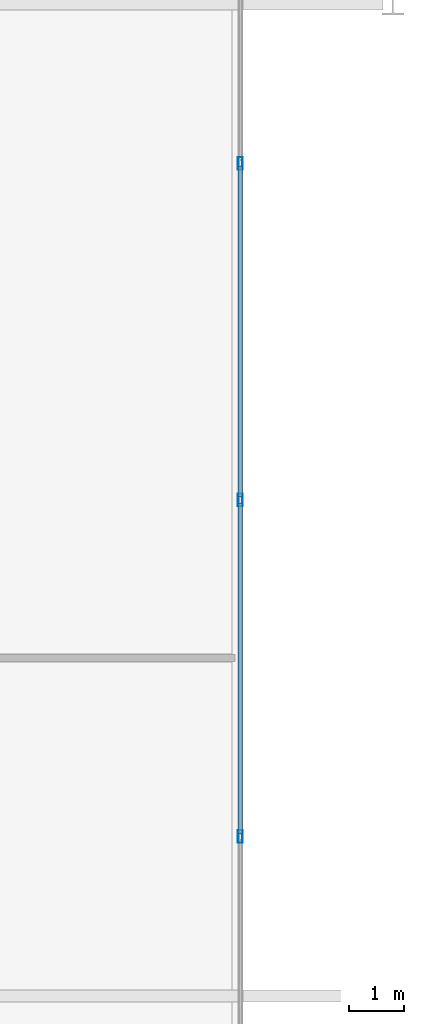
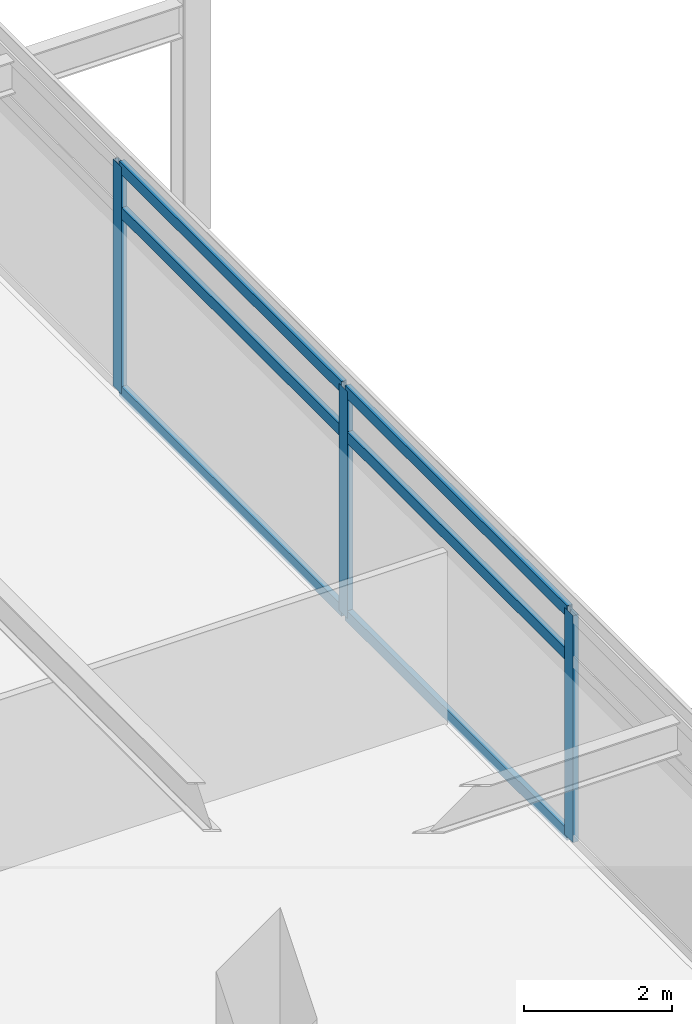
# One storey, part 8 of 20: 9 members, 1 element without a shape of its own.
"""IFC4 building model written with IfcOpenShell, lengths in metres."""

from ifc_helpers import new_model, si_unit, direction, frame, origin, origin_2d, place, context, subcontext, project, spatial, hollow_rectangle, extrude, material, material_profile, profile_set, type_object, element, aggregate, save


model = new_model("IFC4")

# Units and contexts
model_context = context("Model", 3, precision=1e-05, world=origin(), true_north=direction((0.0, 1.0)))
body_context = subcontext(model_context, "Body", "Model", "MODEL_VIEW")
ifc_project = project(units=[si_unit("LENGTHUNIT", "METRE"), si_unit("AREAUNIT", "SQUARE_METRE"), si_unit("VOLUMEUNIT", "CUBIC_METRE"), si_unit("PLANEANGLEUNIT", "RADIAN"), si_unit("MASSUNIT", "GRAM", prefix="KILO")], contexts=[model_context])

# Site, building, storey
site_placement = place(None, origin())
site = spatial("IfcSite", under=ifc_project, at=site_placement, CompositionType="ELEMENT")
building_placement = place(site_placement, origin())
building = spatial("IfcBuilding", under=site, at=building_placement, Name="Kovane Verandah Tower", CompositionType="ELEMENT")
storey_placement = place(building_placement, frame((0.0, 0.0, 318.800048828125)))
storey = spatial("IfcBuildingStorey", under=building, at=storey_placement, Name="L74", CompositionType="ELEMENT", Elevation=318.800048828125)

# Curtain wall, members
ifc_material_1 = material(Name="Champagne Anodised Aluminium Frame with Low-E Clear Laminated Glass", Category="aluminium")
curtain_wall_type = type_object("IfcCurtainWallType", Name="CW-SYS-05-HIGH", PredefinedType="NOTDEFINED", material=ifc_material_1)
curtain_wall_placement = place(storey_placement, origin())
curtain_wall = element("IfcCurtainWall", 1, at=curtain_wall_placement, inside=storey, type_object=curtain_wall_type, Name="L74 E Unitised Curtain Wall", PredefinedType="NOTDEFINED")
ifc_material_2 = material(Name="Champagne Anodised Aluminium 6063-T6", Category="aluminium")
ifc_material_profile_1 = material_profile(ifc_material_2, hollow_rectangle(XDim=0.0849609375, YDim=0.22998046875, WallThickness=0.00390625, at=origin_2d()), Name="AL85x230x4")
ifc_profile_set_1 = profile_set([ifc_material_profile_1], Name="Champagne Anodised Aluminium 6063-T6")
member_type_1 = type_object("IfcMemberType", Name="CW-MUL-85x230", PredefinedType="MULLION", material=ifc_profile_set_1)
member_1_placement = place(storey_placement, frame((64.83154296875, 21.394775390625, 0.02001953125), z_axis=(0.0, 0.0, 1.0), x_axis=(1.0, 0.0, 0.0)))
member_1 = element("IfcMember", 2, at=member_1_placement, type_object=member_type_1, Name="L74 E Unitised Curtain Wall Mullion 3", PredefinedType="MULLION", context=body_context, shape_type="SweptSolid", body=[
    extrude(hollow_rectangle(XDim=0.0849609375, YDim=0.22998046875, WallThickness=0.00390625, at=origin_2d()), origin(), (0.0, 0.0, 1.0), 3.744873046875),
])
member_2_placement = place(storey_placement, frame((64.83154296875, 27.5, 0.02001953125), z_axis=(0.0, 0.0, 1.0), x_axis=(1.0, 0.0, 0.0)))
member_2 = element("IfcMember", 3, at=member_2_placement, type_object=member_type_1, Name="L74 E Unitised Curtain Wall Mullion 4", PredefinedType="MULLION", context=body_context, shape_type="SweptSolid", body=[
    extrude(hollow_rectangle(XDim=0.0849609375, YDim=0.22998046875, WallThickness=0.00390625, at=origin_2d()), origin(), (0.0, 0.0, 1.0), 3.744873046875),
])
member_3_placement = place(storey_placement, frame((64.83154296875, 33.605224609375, 0.02001953125), z_axis=(0.0, 0.0, 1.0), x_axis=(1.0, 0.0, 0.0)))
member_3 = element("IfcMember", 4, at=member_3_placement, type_object=member_type_1, Name="L74 E Unitised Curtain Wall Mullion 5", PredefinedType="MULLION", context=body_context, shape_type="SweptSolid", body=[
    extrude(hollow_rectangle(XDim=0.0849609375, YDim=0.22998046875, WallThickness=0.00390625, at=origin_2d()), origin(), (0.0, 0.0, 1.0), 3.744873046875),
])
ifc_material_profile_2 = material_profile(ifc_material_2, hollow_rectangle(XDim=0.0849609375, YDim=0.18994140625, WallThickness=0.00390625, at=origin_2d()), Name="AL85x190x4")
ifc_profile_set_2 = profile_set([ifc_material_profile_2], Name="Champagne Anodised Aluminium 6063-T6")
member_type_2 = type_object("IfcMemberType", Name="CW-TRN-85x190", PredefinedType="USERDEFINED", material=ifc_profile_set_2)
member_4_placement = place(storey_placement, frame((64.83154296875, 21.44482421875, 0.050048828125), z_axis=(0.0, 1.0, 0.0), x_axis=(-1.0, 0.0, 0.0)))
member_4 = element("IfcMember", 5, at=member_4_placement, type_object=member_type_2, Name="L74 E Unitised Curtain Wall Transom TB Bay 3", ObjectType="TRANSOM", PredefinedType="USERDEFINED", context=body_context, shape_type="SweptSolid", body=[
    extrude(hollow_rectangle(XDim=0.0849609375, YDim=0.18994140625, WallThickness=0.00390625, at=origin_2d()), origin(), (0.0, 0.0, 1.0), 6.005126953125),
])
member_5_placement = place(storey_placement, frame((64.83154296875, 21.44482421875, 3.0048828125), z_axis=(0.0, 1.0, 0.0), x_axis=(-1.0, 0.0, 0.0)))
member_5 = element("IfcMember", 6, at=member_5_placement, type_object=member_type_2, Name="L74 E Unitised Curtain Wall Transom TM Bay 3", ObjectType="TRANSOM", PredefinedType="USERDEFINED", context=body_context, shape_type="SweptSolid", body=[
    extrude(hollow_rectangle(XDim=0.0849609375, YDim=0.18994140625, WallThickness=0.00390625, at=origin_2d()), origin(), (0.0, 0.0, 1.0), 6.005126953125),
])
member_6_placement = place(storey_placement, frame((64.83154296875, 21.44482421875, 3.73486328125), z_axis=(0.0, 1.0, 0.0), x_axis=(-1.0, 0.0, 0.0)))
member_6 = element("IfcMember", 7, at=member_6_placement, type_object=member_type_2, Name="L74 E Unitised Curtain Wall Transom TT Bay 3", ObjectType="TRANSOM", PredefinedType="USERDEFINED", context=body_context, shape_type="SweptSolid", body=[
    extrude(hollow_rectangle(XDim=0.0849609375, YDim=0.18994140625, WallThickness=0.00390625, at=origin_2d()), origin(), (0.0, 0.0, 1.0), 6.005126953125),
])
member_7_placement = place(storey_placement, frame((64.83154296875, 27.550048828125, 0.050048828125), z_axis=(0.0, 1.0, 0.0), x_axis=(-1.0, 0.0, 0.0)))
member_7 = element("IfcMember", 8, at=member_7_placement, type_object=member_type_2, Name="L74 E Unitised Curtain Wall Transom TB Bay 4", ObjectType="TRANSOM", PredefinedType="USERDEFINED", context=body_context, shape_type="SweptSolid", body=[
    extrude(hollow_rectangle(XDim=0.0849609375, YDim=0.18994140625, WallThickness=0.00390625, at=origin_2d()), origin(), (0.0, 0.0, 1.0), 6.005126953125),
])
member_8_placement = place(storey_placement, frame((64.83154296875, 27.550048828125, 3.0048828125), z_axis=(0.0, 1.0, 0.0), x_axis=(-1.0, 0.0, 0.0)))
member_8 = element("IfcMember", 9, at=member_8_placement, type_object=member_type_2, Name="L74 E Unitised Curtain Wall Transom TM Bay 4", ObjectType="TRANSOM", PredefinedType="USERDEFINED", context=body_context, shape_type="SweptSolid", body=[
    extrude(hollow_rectangle(XDim=0.0849609375, YDim=0.18994140625, WallThickness=0.00390625, at=origin_2d()), origin(), (0.0, 0.0, 1.0), 6.005126953125),
])
member_9_placement = place(storey_placement, frame((64.83154296875, 27.550048828125, 3.73486328125), z_axis=(0.0, 1.0, 0.0), x_axis=(-1.0, 0.0, 0.0)))
member_9 = element("IfcMember", 10, at=member_9_placement, type_object=member_type_2, Name="L74 E Unitised Curtain Wall Transom TT Bay 4", ObjectType="TRANSOM", PredefinedType="USERDEFINED", context=body_context, shape_type="SweptSolid", body=[
    extrude(hollow_rectangle(XDim=0.0849609375, YDim=0.18994140625, WallThickness=0.00390625, at=origin_2d()), origin(), (0.0, 0.0, 1.0), 6.005126953125),
])
aggregate(curtain_wall, [member_1, member_2, member_3, member_4, member_5, member_6, member_7, member_8, member_9])

save(model, "model.ifc")
